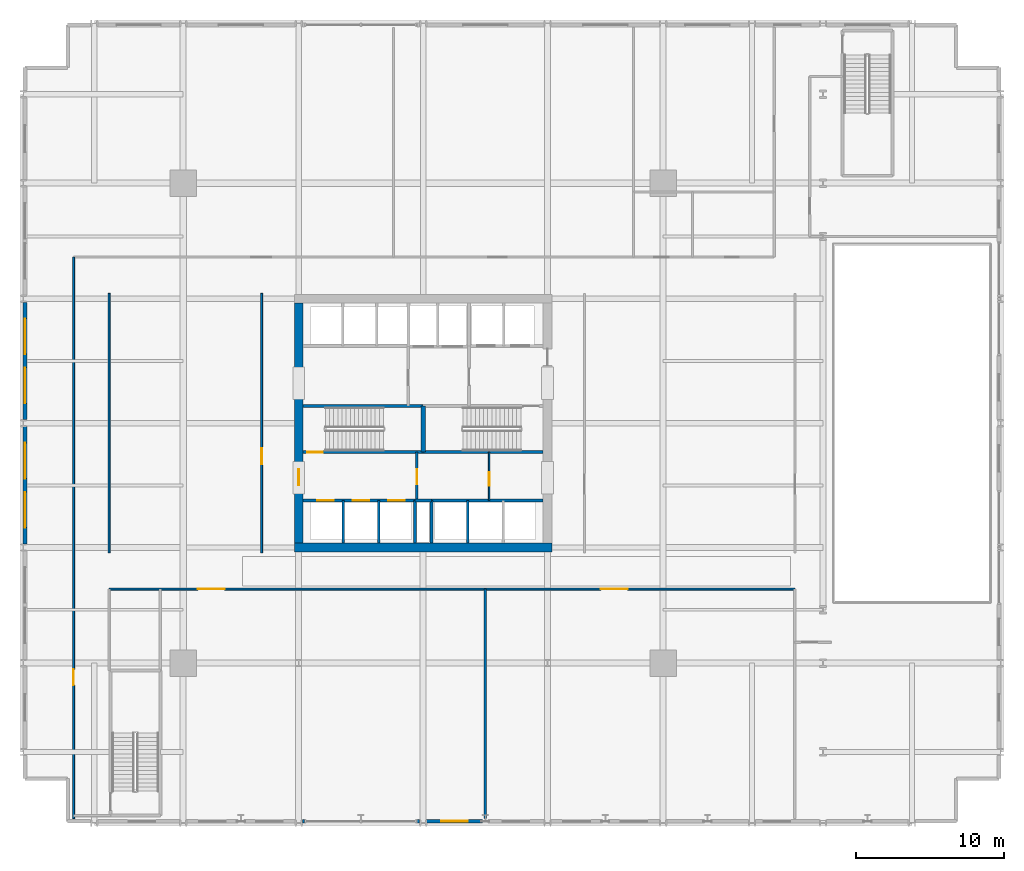
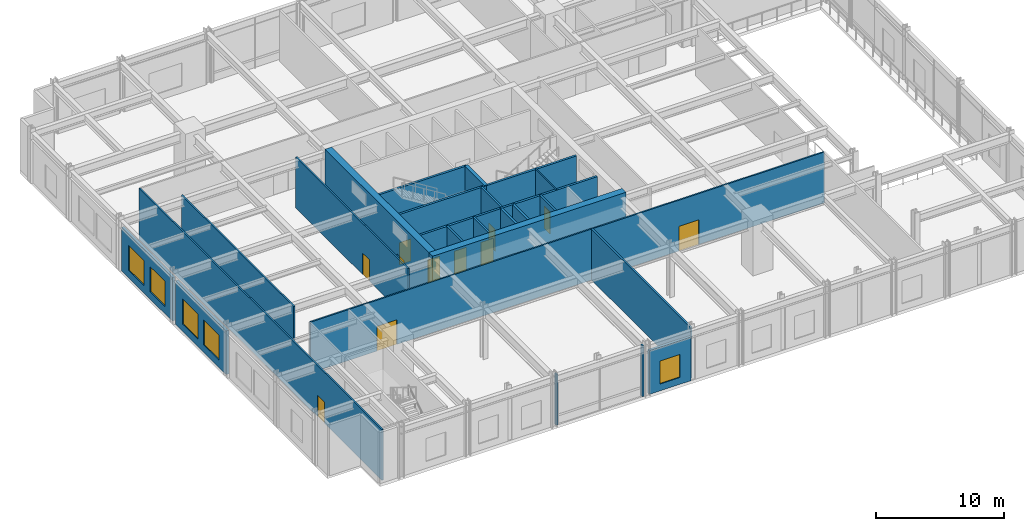
# One storey, part 11 of 20: 26 walls, 11 doors, 5 windows, 16 openings.
"""IFC4 building model written with IfcOpenShell, lengths in metres."""

from ifc_helpers import new_model, si_unit, direction, frame, frame_2d, origin, place, context, subcontext, project, spatial, rectangle, extrude, material, layer, layer_set, type_object, element, fill, save


model = new_model("IFC4")

# Units and contexts
model_context = context("Model", 3, precision=1e-05, world=origin(), true_north=direction((0.0, 1.0)))
body_context = subcontext(model_context, "Body", "Model", "MODEL_VIEW")
ifc_project = project(units=[si_unit("LENGTHUNIT", "METRE"), si_unit("AREAUNIT", "SQUARE_METRE"), si_unit("VOLUMEUNIT", "CUBIC_METRE"), si_unit("PLANEANGLEUNIT", "RADIAN"), si_unit("MASSUNIT", "GRAM", prefix="KILO")], contexts=[model_context])

# Site, building, storey
site_placement = place(None, origin())
site = spatial("IfcSite", under=ifc_project, at=site_placement, CompositionType="ELEMENT")
building_placement = place(site_placement, origin())
building = spatial("IfcBuilding", under=site, at=building_placement, Name="Drelvath Grand Hotel", CompositionType="ELEMENT")
storey_placement = place(building_placement, frame((0.0, 0.0, 5.60009765625)))
storey = spatial("IfcBuildingStorey", under=building, at=storey_placement, Name="L01", CompositionType="ELEMENT", Elevation=5.60009765625)

# Wall, opening, door
ifc_material_1 = material(Name="Gypsum Partition Board")
ifc_layer_1 = layer(ifc_material_1, 0.10009765625)
ifc_layer_set_1 = layer_set([ifc_layer_1], Name="Gypsum Partition Board")
wall_type_1 = type_object("IfcWallType", Name="Core Closet Partition 100", PredefinedType="PARTITIONING", material=ifc_layer_set_1)
wall_1_placement = place(storey_placement, frame((4.4599609375, 21.780029296875, 0.0), z_axis=(0.0, 0.0, 1.0), x_axis=(0.0, 1.0, 0.0)))
wall_1 = element("IfcWall", 1, at=wall_1_placement, inside=storey, type_object=wall_type_1, Name="L01 Housekeeping Split Wall", PredefinedType="PARTITIONING", context=body_context, shape_type="SweptSolid", body=[
    extrude(rectangle(XDim=3.260009765625, YDim=0.10009765625, at=frame_2d((1.6298828125, 0.0))), origin(), (0.0, 0.0, 1.0), 4.849853515625),
])
opening_1_placement = place(wall_1_placement, frame((1.0, 0.0, 0.0)))
opening_1 = element("IfcOpeningElement", 2, at=opening_1_placement, cuts=wall_1, Name="Opening D-L01-015", PredefinedType="OPENING", context=body_context, shape_type="SweptSolid", body=[
    extrude(rectangle(XDim=0.919921875, YDim=2.10009765625, at=frame_2d((0.4599609375, 1.050048828125))), frame((0.0, 0.06005859375, 0.0), z_axis=(0.0, -1.0, 0.0), x_axis=(1.0, 0.0, 0.0)), (0.0, 0.0, 1.0), 0.1201171875),
])
ifc_material_2 = material(Name="Painted Steel S275", Category="steel")
door_type_1 = type_object("IfcDoorType", Name="Staff Utility Door 920x2100", OperationType="NOTDEFINED", PredefinedType="DOOR", material=ifc_material_2)
door_1_placement = place(opening_1_placement, origin())
door_1 = element("IfcDoor", 3, at=door_1_placement, inside=storey, type_object=door_type_1, Name="L01 Core Store Door", OperationType="SINGLE_SWING_RIGHT", OverallHeight=2.10009765625, OverallWidth=0.919921875, PredefinedType="DOOR", context=body_context, shape_type="SweptSolid", body=[
    extrude(rectangle(XDim=0.919921875, YDim=2.10009765625, at=frame_2d((0.4599609375, 1.050048828125))), frame((0.0, 0.02490234375, 0.0), z_axis=(0.0, -1.0, 0.0), x_axis=(1.0, 0.0, 0.0)), (0.0, 0.0, 1.0), 0.050048828125),
])
fill(opening_1, door_1)

# Wall, openings, doors
ifc_material_3 = material(Name="Concrete C40/50", Category="concrete")
ifc_layer_2 = layer(ifc_material_3, 0.199951171875)
ifc_layer_set_2 = layer_set([ifc_layer_2], Name="Concrete C40/50")
wall_type_2 = type_object("IfcWallType", Name="Core Hoistway Fire Wall 200", PredefinedType="SOLIDWALL", material=ifc_layer_set_2)
wall_2_placement = place(storey_placement, frame((-0.550048828125, 21.780029296875, 0.0), z_axis=(0.0, 0.0, 1.0), x_axis=(-1.0, 0.0, 0.0)))
wall_2 = element("IfcWall", 4, at=wall_2_placement, inside=storey, type_object=wall_type_2, Name="L01 Bank 1 Hoistway Wall", PredefinedType="SOLIDWALL", context=body_context, shape_type="SweptSolid", body=[
    extrude(rectangle(XDim=7.550048828125, YDim=0.199951171875, at=frame_2d((3.77490234375, 0.0))), origin(), (0.0, 0.0, 1.0), 4.849853515625),
])
opening_2_placement = place(wall_2_placement, frame((5.5, 0.0, 0.0)))
opening_2 = element("IfcOpeningElement", 5, at=opening_2_placement, cuts=wall_2, Name="Opening LD-PE-1", PredefinedType="OPENING", context=body_context, shape_type="SweptSolid", body=[
    extrude(rectangle(XDim=1.10009765625, YDim=2.199951171875, at=frame_2d((0.550048828125, 1.10009765625))), frame((0.0, 0.10986328125, 0.0), z_axis=(0.0, -1.0, 0.0), x_axis=(1.0, 0.0, 0.0)), (0.0, 0.0, 1.0), 0.219970703125),
])
opening_3_placement = place(wall_2_placement, frame((3.10009765625, 0.0, 0.0)))
opening_3 = element("IfcOpeningElement", 6, at=opening_3_placement, cuts=wall_2, Name="Opening LD-PE-2", PredefinedType="OPENING", context=body_context, shape_type="SweptSolid", body=[
    extrude(rectangle(XDim=1.10009765625, YDim=2.199951171875, at=frame_2d((0.550048828125, 1.10009765625))), frame((0.0, 0.10986328125, 0.0), z_axis=(0.0, -1.0, 0.0), x_axis=(1.0, 0.0, 0.0)), (0.0, 0.0, 1.0), 0.219970703125),
])
opening_4_placement = place(wall_2_placement, frame((0.699951171875, 0.0, 0.0)))
opening_4 = element("IfcOpeningElement", 7, at=opening_4_placement, cuts=wall_2, Name="Opening LD-PE-3", PredefinedType="OPENING", context=body_context, shape_type="SweptSolid", body=[
    extrude(rectangle(XDim=1.10009765625, YDim=2.199951171875, at=frame_2d((0.550048828125, 1.10009765625))), frame((0.0, 0.10986328125, 0.0), z_axis=(0.0, -1.0, 0.0), x_axis=(1.0, 0.0, 0.0)), (0.0, 0.0, 1.0), 0.219970703125),
])
ifc_material_4 = material(Name="Stainless Steel S355", Category="steel")
door_type_2 = type_object("IfcDoorType", Name="Passenger Lift Sliding Landing Door 1100x2200", OperationType="NOTDEFINED", PredefinedType="DOOR", material=ifc_material_4)
door_2_placement = place(opening_2_placement, origin())
door_2 = element("IfcDoor", 8, at=door_2_placement, inside=storey, type_object=door_type_2, Name="L01 Lift PE-1 Landing Door", OperationType="SLIDING_TO_LEFT", OverallHeight=2.199951171875, OverallWidth=1.10009765625, PredefinedType="DOOR", context=body_context, shape_type="SweptSolid", body=[
    extrude(rectangle(XDim=1.10009765625, YDim=2.199951171875, at=frame_2d((0.550048828125, 1.10009765625))), frame((0.0, 0.02490234375, 0.0), z_axis=(0.0, -1.0, 0.0), x_axis=(1.0, 0.0, 0.0)), (0.0, 0.0, 1.0), 0.050048828125),
])
fill(opening_2, door_2)
door_3_placement = place(opening_3_placement, origin())
door_3 = element("IfcDoor", 9, at=door_3_placement, inside=storey, type_object=door_type_2, Name="L01 Lift PE-2 Landing Door", OperationType="SLIDING_TO_LEFT", OverallHeight=2.199951171875, OverallWidth=1.10009765625, PredefinedType="DOOR", context=body_context, shape_type="SweptSolid", body=[
    extrude(rectangle(XDim=1.10009765625, YDim=2.199951171875, at=frame_2d((0.550048828125, 1.10009765625))), frame((0.0, 0.02490234375, 0.0), z_axis=(0.0, -1.0, 0.0), x_axis=(1.0, 0.0, 0.0)), (0.0, 0.0, 1.0), 0.050048828125),
])
fill(opening_3, door_3)
door_4_placement = place(opening_4_placement, origin())
door_4 = element("IfcDoor", 10, at=door_4_placement, inside=storey, type_object=door_type_2, Name="L01 Lift PE-3 Landing Door", OperationType="SLIDING_TO_LEFT", OverallHeight=2.199951171875, OverallWidth=1.10009765625, PredefinedType="DOOR", context=body_context, shape_type="SweptSolid", body=[
    extrude(rectangle(XDim=1.10009765625, YDim=2.199951171875, at=frame_2d((0.550048828125, 1.10009765625))), frame((0.0, 0.02490234375, 0.0), z_axis=(0.0, -1.0, 0.0), x_axis=(1.0, 0.0, 0.0)), (0.0, 0.0, 1.0), 0.050048828125),
])
fill(opening_4, door_4)

# Walls
wall_3_placement = place(storey_placement, frame((-0.550048828125, 18.89990234375, 0.0), z_axis=(0.0, 0.0, 1.0), x_axis=(0.0, 1.0, 0.0)))
element("IfcWall", 11, at=wall_3_placement, inside=storey, type_object=wall_type_2, Name="L01 Bank 1 East Wall", PredefinedType="SOLIDWALL", context=body_context, shape_type="SweptSolid", body=[
    extrude(rectangle(XDim=2.880126953125, YDim=0.199951171875, at=frame_2d((1.43994140625, 0.0))), origin(), (0.0, 0.0, 1.0), 4.849853515625),
])
wall_4_placement = place(storey_placement, frame((8.10009765625, 21.780029296875, 0.0), z_axis=(0.0, 0.0, 1.0), x_axis=(-1.0, 0.0, 0.0)))
element("IfcWall", 12, at=wall_4_placement, inside=storey, type_object=wall_type_2, Name="L01 Bank 2 Hoistway Wall", PredefinedType="SOLIDWALL", context=body_context, shape_type="SweptSolid", body=[
    extrude(rectangle(XDim=7.550048828125, YDim=0.199951171875, at=frame_2d((3.77490234375, 0.0))), origin(), (0.0, 0.0, 1.0), 4.849853515625),
])
wall_5_placement = place(storey_placement, frame((0.550048828125, 18.89990234375, 0.0), z_axis=(0.0, 0.0, 1.0), x_axis=(0.0, 1.0, 0.0)))
element("IfcWall", 13, at=wall_5_placement, inside=storey, type_object=wall_type_2, Name="L01 Bank 2 West Wall", PredefinedType="SOLIDWALL", context=body_context, shape_type="SweptSolid", body=[
    extrude(rectangle(XDim=2.880126953125, YDim=0.199951171875, at=frame_2d((1.43994140625, 0.0))), origin(), (0.0, 0.0, 1.0), 4.849853515625),
])
wall_6_placement = place(storey_placement, frame((-0.550048828125, 21.780029296875, 0.0), z_axis=(0.0, 0.0, 1.0), x_axis=(1.0, 0.0, 0.0)))
element("IfcWall", 14, at=wall_6_placement, inside=storey, type_object=wall_type_2, Name="L01 Core Riser Wall", PredefinedType="SOLIDWALL", context=body_context, shape_type="SweptSolid", body=[
    extrude(rectangle(XDim=1.10009765625, YDim=0.199951171875, at=frame_2d((0.550048828125, 0.0))), origin(), (0.0, 0.0, 1.0), 4.849853515625),
])

# Wall, opening, door
ifc_layer_3 = layer(ifc_material_3, 0.199951171875)
ifc_layer_set_3 = layer_set([ifc_layer_3], Name="Concrete C40/50")
wall_type_3 = type_object("IfcWallType", Name="Core Shaft Fire Wall 200", PredefinedType="SOLIDWALL", material=ifc_layer_set_3)
wall_7_placement = place(storey_placement, frame((-8.10009765625, 25.0400390625, 0.0), z_axis=(0.0, 0.0, 1.0), x_axis=(1.0, 0.0, 0.0)))
wall_7 = element("IfcWall", 15, at=wall_7_placement, inside=storey, type_object=wall_type_3, Name="L01 Stair ST-1 South Wall", PredefinedType="SOLIDWALL", context=body_context, shape_type="SweptSolid", body=[
    extrude(rectangle(XDim=8.10009765625, YDim=0.199951171875, at=frame_2d((4.050048828125, 0.0))), origin(), (0.0, 0.0, 1.0), 4.849853515625),
])
opening_5_placement = place(wall_7_placement, frame((0.280029296875, 0.0, 0.0)))
opening_5 = element("IfcOpeningElement", 16, at=opening_5_placement, cuts=wall_7, Name="Opening D-L01-001", PredefinedType="OPENING", context=body_context, shape_type="SweptSolid", body=[
    extrude(rectangle(XDim=1.050048828125, YDim=2.10009765625, at=frame_2d((0.52490234375, 1.050048828125))), frame((0.0, 0.10986328125, 0.0), z_axis=(0.0, -1.0, 0.0), x_axis=(1.0, 0.0, 0.0)), (0.0, 0.0, 1.0), 0.219970703125),
])
door_type_3 = type_object("IfcDoorType", Name="Tower Stairwell Fire Door 1050x2100", OperationType="NOTDEFINED", PredefinedType="DOOR", material=ifc_material_2)
door_5_placement = place(opening_5_placement, origin())
door_5 = element("IfcDoor", 17, at=door_5_placement, inside=storey, type_object=door_type_3, Name="L01 Exit Stair ST-1 Door", OperationType="SINGLE_SWING_LEFT", OverallHeight=2.10009765625, OverallWidth=1.050048828125, PredefinedType="DOOR", context=body_context, shape_type="SweptSolid", body=[
    extrude(rectangle(XDim=1.050048828125, YDim=2.10009765625, at=frame_2d((0.52490234375, 1.050048828125))), frame((0.0, 0.02490234375, 0.0), z_axis=(0.0, -1.0, 0.0), x_axis=(1.0, 0.0, 0.0)), (0.0, 0.0, 1.0), 0.050048828125),
])
fill(opening_5, door_5)

# Walls
for number, where, z_axis, x_axis, name in (
    (18, (-8.10009765625, 28.159912109375, 0.0), (0.0, 0.0, 1.0), (1.0, 0.0, 0.0), "L01 Stair ST-1 North Wall"),
    (19, (0.0, 25.0400390625, 0.0), (0.0, 0.0, 1.0), (1.0, 0.0, 0.0), "L01 Stair ST-2 South Wall"),
):
    element("IfcWall", number, at=place(storey_placement, frame(where, z_axis=z_axis, x_axis=x_axis)), inside=storey, type_object=wall_type_3, Name=name, PredefinedType="SOLIDWALL", context=body_context, shape_type="SweptSolid", body=[
        extrude(rectangle(XDim=8.10009765625, YDim=0.199951171875, at=frame_2d((4.050048828125, 0.0))), origin(), (0.0, 0.0, 1.0), 4.849853515625),
    ])
ifc_layer_4 = layer(ifc_material_3, 0.300048828125)
ifc_layer_set_4 = layer_set([ifc_layer_4], Name="Concrete C40/50")
wall_type_4 = type_object("IfcWallType", Name="Core Shaft Fire Wall 300", PredefinedType="SOLIDWALL", material=ifc_layer_set_4)
wall_8_placement = place(storey_placement, frame((0.0, 25.0400390625, 0.0), z_axis=(0.0, 0.0, 1.0), x_axis=(0.0, 1.0, 0.0)))
element("IfcWall", 20, at=wall_8_placement, inside=storey, type_object=wall_type_4, Name="L01 Core Stair Divider Wall", PredefinedType="SOLIDWALL", context=body_context, shape_type="SweptSolid", body=[
    extrude(rectangle(XDim=3.119873046875, YDim=0.300048828125, at=frame_2d((1.56005859375, 0.0))), origin(), (0.0, 0.0, 1.0), 4.849853515625),
])
ifc_material_5 = material(Name="Gypsum Fireboard Partition")
ifc_layer_5 = layer(ifc_material_5, 0.1650390625)
ifc_layer_set_5 = layer_set([ifc_layer_5], Name="Gypsum Fireboard Partition")
wall_type_5 = type_object("IfcWallType", Name="Core Shaft Partition 165", PredefinedType="PARTITIONING", material=ifc_layer_set_5)
for number, where, z_axis, x_axis, name in (
    (21, (-5.39990234375, 18.89990234375, 0.0), (0.0, 0.0, 1.0), (0.0, 1.0, 0.0), "L01 Lift PE-1/2 Divider"),
    (22, (-3.0, 18.89990234375, 0.0), (0.0, 0.0, 1.0), (0.0, 1.0, 0.0), "L01 Lift PE-2/3 Divider"),
    (23, (3.0, 18.89990234375, 0.0), (0.0, 0.0, 1.0), (0.0, 1.0, 0.0), "L01 Lift PE-4/5 Divider"),
):
    element("IfcWall", number, at=place(storey_placement, frame(where, z_axis=z_axis, x_axis=x_axis)), inside=storey, type_object=wall_type_5, Name=name, PredefinedType="PARTITIONING", context=body_context, shape_type="SweptSolid", body=[
        extrude(rectangle(XDim=2.880126953125, YDim=0.1650390625, at=frame_2d((1.43994140625, 0.0))), origin(), (0.0, 0.0, 1.0), 4.849853515625),
    ])

# Wall, openings, doors
ifc_layer_6 = layer(ifc_material_5, 0.135009765625)
ifc_layer_set_6 = layer_set([ifc_layer_6], Name="Gypsum Fireboard Partition")
wall_type_6 = type_object("IfcWallType", Name="Corridor Fire Barrier Wall 135", PredefinedType="PARTITIONING", material=ifc_layer_set_6)
wall_9_placement = place(storey_placement, frame((-21.199951171875, 15.800048828125, 0.0), z_axis=(0.0, 0.0, 1.0), x_axis=(1.0, 0.0, 0.0)))
wall_9 = element("IfcWall", 24, at=wall_9_placement, inside=storey, type_object=wall_type_6, Name="L01 South Gallery Wall", PredefinedType="PARTITIONING", context=body_context, shape_type="SweptSolid", body=[
    extrude(rectangle(XDim=46.300048828125, YDim=0.135009765625, at=frame_2d((23.14990234375, 0.0))), origin(), (0.0, 0.0, 1.0), 4.849853515625),
])
opening_6_placement = place(wall_9_placement, frame((6.0, 0.0, 0.0)))
opening_6 = element("IfcOpeningElement", 25, at=opening_6_placement, cuts=wall_9, Name="Opening D-L01-023", PredefinedType="OPENING", context=body_context, shape_type="SweptSolid", body=[
    extrude(rectangle(XDim=1.800048828125, YDim=2.35009765625, at=frame_2d((0.89990234375, 1.175048828125))), frame((0.0, 0.077392578125, 0.0), z_axis=(0.0, -1.0, 0.0), x_axis=(1.0, 0.0, 0.0)), (0.0, 0.0, 1.0), 0.155029296875),
])
opening_7_placement = place(wall_9_placement, frame((33.199951171875, 0.0, 0.0)))
opening_7 = element("IfcOpeningElement", 26, at=opening_7_placement, cuts=wall_9, Name="Opening D-L01-024", PredefinedType="OPENING", context=body_context, shape_type="SweptSolid", body=[
    extrude(rectangle(XDim=1.800048828125, YDim=2.35009765625, at=frame_2d((0.89990234375, 1.175048828125))), frame((0.0, 0.077392578125, 0.0), z_axis=(0.0, -1.0, 0.0), x_axis=(1.0, 0.0, 0.0)), (0.0, 0.0, 1.0), 0.155029296875),
])
ifc_material_6 = material(Name="Hardwood Bronze-Clad Timber", Category="wood")
door_type_4 = type_object("IfcDoorType", Name="Assembly Double Fire Door 1800x2350", OperationType="NOTDEFINED", PredefinedType="DOOR", material=ifc_material_6)
door_6_placement = place(opening_6_placement, origin())
door_6 = element("IfcDoor", 27, at=door_6_placement, inside=storey, type_object=door_type_4, Name="L01 Signature Restaurant Door", OperationType="DOUBLE_DOOR_SINGLE_SWING", OverallHeight=2.35009765625, OverallWidth=1.800048828125, PredefinedType="DOOR", context=body_context, shape_type="SweptSolid", body=[
    extrude(rectangle(XDim=1.800048828125, YDim=2.35009765625, at=frame_2d((0.89990234375, 1.175048828125))), frame((0.0, 0.02490234375, 0.0), z_axis=(0.0, -1.0, 0.0), x_axis=(1.0, 0.0, 0.0)), (0.0, 0.0, 1.0), 0.050048828125),
])
fill(opening_6, door_6)
door_7_placement = place(opening_7_placement, origin())
door_7 = element("IfcDoor", 28, at=door_7_placement, inside=storey, type_object=door_type_4, Name="L01 Brasserie Door", OperationType="DOUBLE_DOOR_SINGLE_SWING", OverallHeight=2.35009765625, OverallWidth=1.800048828125, PredefinedType="DOOR", context=body_context, shape_type="SweptSolid", body=[
    extrude(rectangle(XDim=1.800048828125, YDim=2.35009765625, at=frame_2d((0.89990234375, 1.175048828125))), frame((0.0, 0.02490234375, 0.0), z_axis=(0.0, -1.0, 0.0), x_axis=(1.0, 0.0, 0.0)), (0.0, 0.0, 1.0), 0.050048828125),
])
fill(opening_7, door_7)

# Wall, opening, door
wall_10_placement = place(storey_placement, frame((-10.89990234375, 18.239990234375, 0.0), z_axis=(0.0, 0.0, 1.0), x_axis=(0.0, 1.0, 0.0)))
wall_10 = element("IfcWall", 29, at=wall_10_placement, inside=storey, type_object=wall_type_6, Name="L01 West Gallery Wall", PredefinedType="PARTITIONING", context=body_context, shape_type="SweptSolid", body=[
    extrude(rectangle(XDim=17.52001953125, YDim=0.135009765625, at=frame_2d((8.760009765625, 0.0))), origin(), (0.0, 0.0, 1.0), 4.849853515625),
])
opening_8_placement = place(wall_10_placement, frame((6.0, 0.0, 0.0)))
opening_8 = element("IfcOpeningElement", 30, at=opening_8_placement, cuts=wall_10, Name="Opening D-L01-028", PredefinedType="OPENING", context=body_context, shape_type="SweptSolid", body=[
    extrude(rectangle(XDim=1.080078125, YDim=2.0400390625, at=frame_2d((0.5400390625, 1.02001953125))), frame((0.0, 0.077392578125, 0.0), z_axis=(0.0, -1.0, 0.0), x_axis=(1.0, 0.0, 0.0)), (0.0, 0.0, 1.0), 0.155029296875),
])
door_type_5 = type_object("IfcDoorType", Name="Core Corridor Fire Door 1080x2100", OperationType="NOTDEFINED", PredefinedType="DOOR", material=ifc_material_2)
door_8_placement = place(opening_8_placement, origin())
door_8 = element("IfcDoor", 31, at=door_8_placement, inside=storey, type_object=door_type_5, Name="L01 Center-West Room Door", OperationType="SINGLE_SWING_LEFT", OverallHeight=2.0400390625, OverallWidth=1.080078125, PredefinedType="DOOR", context=body_context, shape_type="SweptSolid", body=[
    extrude(rectangle(XDim=1.080078125, YDim=2.0400390625, at=frame_2d((0.5400390625, 1.02001953125))), frame((0.0, 0.02490234375, 0.0), z_axis=(0.0, -1.0, 0.0), x_axis=(1.0, 0.0, 0.0)), (0.0, 0.0, 1.0), 0.050048828125),
])
fill(opening_8, door_8)

# Wall
wall_11_placement = place(storey_placement, frame((-21.199951171875, 18.239990234375, 0.0), z_axis=(0.0, 0.0, 1.0), x_axis=(0.0, 1.0, 0.0)))
element("IfcWall", 32, at=wall_11_placement, inside=storey, type_object=wall_type_6, Name="L01 ST-3 Spur North-East Wall", PredefinedType="PARTITIONING", context=body_context, shape_type="SweptSolid", body=[
    extrude(rectangle(XDim=17.52001953125, YDim=0.135009765625, at=frame_2d((8.760009765625, 0.0))), origin(), (0.0, 0.0, 1.0), 4.849853515625),
])

# Wall, opening, door
wall_12_placement = place(storey_placement, frame((-23.60009765625, 0.300048828125, 0.0), z_axis=(0.0, 0.0, 1.0), x_axis=(0.0, 1.0, 0.0)))
wall_12 = element("IfcWall", 33, at=wall_12_placement, inside=storey, type_object=wall_type_6, Name="L01 West Wing Corridor Wall", PredefinedType="PARTITIONING", context=body_context, shape_type="SweptSolid", body=[
    extrude(rectangle(XDim=37.89990234375, YDim=0.135009765625, at=frame_2d((18.949951171875, 0.0))), origin(), (0.0, 0.0, 1.0), 4.849853515625),
])
opening_9_placement = place(wall_12_placement, frame((9.0, 0.0, 0.0)))
opening_9 = element("IfcOpeningElement", 34, at=opening_9_placement, cuts=wall_12, Name="Opening D-L01-027", PredefinedType="OPENING", context=body_context, shape_type="SweptSolid", body=[
    extrude(rectangle(XDim=1.080078125, YDim=2.0400390625, at=frame_2d((0.5400390625, 1.02001953125))), frame((0.0, 0.077392578125, 0.0), z_axis=(0.0, -1.0, 0.0), x_axis=(1.0, 0.0, 0.0)), (0.0, 0.0, 1.0), 0.155029296875),
])
door_9_placement = place(opening_9_placement, origin())
door_9 = element("IfcDoor", 35, at=door_9_placement, inside=storey, type_object=door_type_5, Name="L01 West Wing South Door", OperationType="SINGLE_SWING_RIGHT", OverallHeight=2.0400390625, OverallWidth=1.080078125, PredefinedType="DOOR", context=body_context, shape_type="SweptSolid", body=[
    extrude(rectangle(XDim=1.080078125, YDim=2.0400390625, at=frame_2d((0.5400390625, 1.02001953125))), frame((0.0, 0.02490234375, 0.0), z_axis=(0.0, -1.0, 0.0), x_axis=(1.0, 0.0, 0.0)), (0.0, 0.0, 1.0), 0.050048828125),
])
fill(opening_9, door_9)

ifc_layer_7 = layer(ifc_material_5, 0.179931640625)
ifc_layer_set_7 = layer_set([ifc_layer_7], Name="Gypsum Fireboard Partition")
wall_type_7 = type_object("IfcWallType", Name="FSAE Smoke Lobby Fire Wall 180", PredefinedType="SOLIDWALL", material=ifc_layer_set_7)
wall_13_placement = place(storey_placement, frame((-0.419921875, 21.780029296875, 0.0), z_axis=(0.0, 0.0, 1.0), x_axis=(0.0, 1.0, 0.0)))
wall_13 = element("IfcWall", 36, at=wall_13_placement, inside=storey, type_object=wall_type_7, Name="L01 Low-Rise Lobby East Wall", PredefinedType="SOLIDWALL", context=body_context, shape_type="SweptSolid", body=[
    extrude(rectangle(XDim=3.260009765625, YDim=0.179931640625, at=frame_2d((1.6298828125, 0.0))), origin(), (0.0, 0.0, 1.0), 4.849853515625),
])
opening_10_placement = place(wall_13_placement, frame((1.10009765625, 0.0, 0.0)))
opening_10 = element("IfcOpeningElement", 37, at=opening_10_placement, cuts=wall_13, Name="Opening D-L01-013", PredefinedType="OPENING", context=body_context, shape_type="SweptSolid", body=[
    extrude(rectangle(XDim=1.0, YDim=2.10009765625, at=frame_2d((0.5, 1.050048828125))), frame((0.0, 0.099853515625, 0.0), z_axis=(0.0, -1.0, 0.0), x_axis=(1.0, 0.0, 0.0)), (0.0, 0.0, 1.0), 0.199951171875),
])
door_type_6 = type_object("IfcDoorType", Name="Core Service Fire Door 1000x2100", OperationType="NOTDEFINED", PredefinedType="DOOR", material=ifc_material_2)
door_10_placement = place(opening_10_placement, origin())
door_10 = element("IfcDoor", 38, at=door_10_placement, inside=storey, type_object=door_type_6, Name="L01 Housekeeping Entry Door", OperationType="SINGLE_SWING_RIGHT", OverallHeight=2.10009765625, OverallWidth=1.0, PredefinedType="DOOR", context=body_context, shape_type="SweptSolid", body=[
    extrude(rectangle(XDim=1.0, YDim=2.10009765625, at=frame_2d((0.5, 1.050048828125))), frame((0.0, 0.02490234375, 0.0), z_axis=(0.0, -1.0, 0.0), x_axis=(1.0, 0.0, 0.0)), (0.0, 0.0, 1.0), 0.050048828125),
])
fill(opening_10, door_10)

# Wall
ifc_material_7 = material(Name="Concrete f'c 70 MPa", Category="concrete")
ifc_layer_8 = layer(ifc_material_7, 0.60009765625)
ifc_layer_set_8 = layer_set([ifc_layer_8], Name="Concrete f'c 70 MPa")
wall_type_8 = type_object("IfcWallType", Name="Lower Core RC Shear Wall 600", PredefinedType="SHEAR", material=ifc_layer_set_8)
wall_14_placement = place(storey_placement, frame((8.699951171875, 18.60009765625, 0.0), z_axis=(0.0, 0.0, 1.0), x_axis=(-1.0, 0.0, 0.0)))
element("IfcWall", 39, at=wall_14_placement, inside=storey, type_object=wall_type_8, Name="L01 Central Core Shear Wall S", PredefinedType="SHEAR", context=body_context, shape_type="SweptSolid", body=[
    extrude(rectangle(XDim=17.39990234375, YDim=0.60009765625, at=frame_2d((8.699951171875, 0.0))), origin(), (0.0, 0.0, 1.0), 5.199951171875),
])

# Wall, opening, door
wall_15_placement = place(storey_placement, frame((-8.39990234375, 18.89990234375, 0.0), z_axis=(0.0, 0.0, 1.0), x_axis=(0.0, 1.0, 0.0)))
wall_15 = element("IfcWall", 40, at=wall_15_placement, inside=storey, type_object=wall_type_8, Name="L01 Central Core Shear Wall W", PredefinedType="SHEAR", context=body_context, shape_type="SweptSolid", body=[
    extrude(rectangle(XDim=16.2001953125, YDim=0.60009765625, at=frame_2d((8.10009765625, 0.0))), origin(), (0.0, 0.0, 1.0), 5.199951171875),
])
opening_11_placement = place(wall_15_placement, frame((3.89990234375, 0.0, 0.0)))
opening_11 = element("IfcOpeningElement", 41, at=opening_11_placement, cuts=wall_15, Name="Opening D-L01-014", PredefinedType="OPENING", context=body_context, shape_type="SweptSolid", body=[
    extrude(rectangle(XDim=1.080078125, YDim=2.0400390625, at=frame_2d((0.5400390625, 1.02001953125))), frame((0.0, 0.31005859375, 0.0), z_axis=(0.0, -1.0, 0.0), x_axis=(1.0, 0.0, 0.0)), (0.0, 0.0, 1.0), 0.6201171875),
])
door_11_placement = place(opening_11_placement, origin())
door_11 = element("IfcDoor", 42, at=door_11_placement, inside=storey, type_object=door_type_5, Name="L01 Low-Rise Lobby West Door", OperationType="SINGLE_SWING_LEFT", OverallHeight=2.0400390625, OverallWidth=1.080078125, PredefinedType="DOOR", context=body_context, shape_type="SweptSolid", body=[
    extrude(rectangle(XDim=1.080078125, YDim=2.0400390625, at=frame_2d((0.5400390625, 1.02001953125))), frame((0.0, 0.02490234375, 0.0), z_axis=(0.0, -1.0, 0.0), x_axis=(1.0, 0.0, 0.0)), (0.0, 0.0, 1.0), 0.050048828125),
])
fill(opening_11, door_11)

# Wall, openings, windows
ifc_material_8 = material(Name="Insulated Granite Rainscreen Assembly", Category="masonry")
ifc_layer_9 = layer(ifc_material_8, 0.239990234375)
ifc_layer_set_9 = layer_set([ifc_layer_9], Name="Insulated Granite Rainscreen Assembly")
wall_type_9 = type_object("IfcWallType", Name="Podium Granite Rainscreen Exterior Wall 240", PredefinedType="STANDARD", material=ifc_layer_set_9)
wall_16_placement = place(storey_placement, frame((-26.8798828125, 18.8408203125, 0.0), z_axis=(0.0, 0.0, 1.0), x_axis=(0.0, 1.0, 0.0)))
wall_16 = element("IfcWall", 43, at=wall_16_placement, inside=storey, type_object=wall_type_9, Name="L01 West Podium Granite Wall 4", PredefinedType="STANDARD", context=body_context, shape_type="SweptSolid", body=[
    extrude(rectangle(XDim=7.918212890625, YDim=0.239990234375, at=frame_2d((3.958984375, 0.0))), origin(), (0.0, 0.0, 1.0), 4.154296875),
])
opening_12_placement = place(wall_16_placement, frame((1.10009765625, 0.0, 0.699951171875)))
opening_12 = element("IfcOpeningElement", 44, at=opening_12_placement, cuts=wall_16, Name="Opening W-01", PredefinedType="OPENING", context=body_context, shape_type="SweptSolid", body=[
    extrude(rectangle(XDim=2.39990234375, YDim=2.39990234375, at=frame_2d((1.199951171875, 1.199951171875))), frame((0.0, 0.1298828125, 0.0), z_axis=(0.0, -1.0, 0.0), x_axis=(1.0, 0.0, 0.0)), (0.0, 0.0, 1.0), 0.260009765625),
])
opening_13_placement = place(wall_16_placement, frame((4.418212890625, 0.0, 0.699951171875)))
opening_13 = element("IfcOpeningElement", 45, at=opening_13_placement, cuts=wall_16, Name="Opening W-01", PredefinedType="OPENING", context=body_context, shape_type="SweptSolid", body=[
    extrude(rectangle(XDim=2.39990234375, YDim=2.39990234375, at=frame_2d((1.199951171875, 1.199951171875))), frame((0.0, 0.1298828125, 0.0), z_axis=(0.0, -1.0, 0.0), x_axis=(1.0, 0.0, 0.0)), (0.0, 0.0, 1.0), 0.260009765625),
])
ifc_material_9 = material(Name="Bronze Anodised Low-E Triple Glazing", Category="glass")
window_type_1 = type_object("IfcWindowType", Name="Chicago Triple-Pane Podium Window 2400x2600", PartitioningType="TRIPLE_PANEL_VERTICAL", PredefinedType="WINDOW", material=ifc_material_9)
window_1_placement = place(opening_12_placement, origin())
window_1 = element("IfcWindow", 46, at=window_1_placement, inside=storey, type_object=window_type_1, Name="L01 West Podium Window 4-1", OverallHeight=2.39990234375, OverallWidth=2.39990234375, PartitioningType="SINGLE_PANEL", PredefinedType="WINDOW", context=body_context, shape_type="SweptSolid", body=[
    extrude(rectangle(XDim=2.39990234375, YDim=2.39990234375, at=frame_2d((1.199951171875, 1.199951171875))), frame((0.0, 0.030029296875, 0.0), z_axis=(0.0, -1.0, 0.0), x_axis=(1.0, 0.0, 0.0)), (0.0, 0.0, 1.0), 0.06005859375),
])
fill(opening_12, window_1)
window_2_placement = place(opening_13_placement, origin())
window_2 = element("IfcWindow", 47, at=window_2_placement, inside=storey, type_object=window_type_1, Name="L01 West Podium Window 4-2", OverallHeight=2.39990234375, OverallWidth=2.39990234375, PartitioningType="SINGLE_PANEL", PredefinedType="WINDOW", context=body_context, shape_type="SweptSolid", body=[
    extrude(rectangle(XDim=2.39990234375, YDim=2.39990234375, at=frame_2d((1.199951171875, 1.199951171875))), frame((0.0, 0.030029296875, 0.0), z_axis=(0.0, -1.0, 0.0), x_axis=(1.0, 0.0, 0.0)), (0.0, 0.0, 1.0), 0.06005859375),
])
fill(opening_13, window_2)

wall_17_placement = place(storey_placement, frame((-26.8798828125, 27.240966796875, 0.0), z_axis=(0.0, 0.0, 1.0), x_axis=(0.0, 1.0, 0.0)))
wall_17 = element("IfcWall", 48, at=wall_17_placement, inside=storey, type_object=wall_type_9, Name="L01 West Podium Granite Wall 5", PredefinedType="STANDARD", context=body_context, shape_type="SweptSolid", body=[
    extrude(rectangle(XDim=7.918212890625, YDim=0.239990234375, at=frame_2d((3.958984375, 0.0))), origin(), (0.0, 0.0, 1.0), 4.154296875),
])
opening_14_placement = place(wall_17_placement, frame((1.10009765625, 0.0, 0.699951171875)))
opening_14 = element("IfcOpeningElement", 49, at=opening_14_placement, cuts=wall_17, Name="Opening W-01", PredefinedType="OPENING", context=body_context, shape_type="SweptSolid", body=[
    extrude(rectangle(XDim=2.39990234375, YDim=2.39990234375, at=frame_2d((1.199951171875, 1.199951171875))), frame((0.0, 0.1298828125, 0.0), z_axis=(0.0, -1.0, 0.0), x_axis=(1.0, 0.0, 0.0)), (0.0, 0.0, 1.0), 0.260009765625),
])
opening_15_placement = place(wall_17_placement, frame((4.418212890625, 0.0, 0.699951171875)))
opening_15 = element("IfcOpeningElement", 50, at=opening_15_placement, cuts=wall_17, Name="Opening W-01", PredefinedType="OPENING", context=body_context, shape_type="SweptSolid", body=[
    extrude(rectangle(XDim=2.39990234375, YDim=2.39990234375, at=frame_2d((1.199951171875, 1.199951171875))), frame((0.0, 0.1298828125, 0.0), z_axis=(0.0, -1.0, 0.0), x_axis=(1.0, 0.0, 0.0)), (0.0, 0.0, 1.0), 0.260009765625),
])
window_3_placement = place(opening_14_placement, origin())
window_3 = element("IfcWindow", 51, at=window_3_placement, inside=storey, type_object=window_type_1, Name="L01 West Podium Window 5-1", OverallHeight=2.39990234375, OverallWidth=2.39990234375, PartitioningType="SINGLE_PANEL", PredefinedType="WINDOW", context=body_context, shape_type="SweptSolid", body=[
    extrude(rectangle(XDim=2.39990234375, YDim=2.39990234375, at=frame_2d((1.199951171875, 1.199951171875))), frame((0.0, 0.030029296875, 0.0), z_axis=(0.0, -1.0, 0.0), x_axis=(1.0, 0.0, 0.0)), (0.0, 0.0, 1.0), 0.06005859375),
])
fill(opening_14, window_3)
window_4_placement = place(opening_15_placement, origin())
window_4 = element("IfcWindow", 52, at=window_4_placement, inside=storey, type_object=window_type_1, Name="L01 West Podium Window 5-2", OverallHeight=2.39990234375, OverallWidth=2.39990234375, PartitioningType="SINGLE_PANEL", PredefinedType="WINDOW", context=body_context, shape_type="SweptSolid", body=[
    extrude(rectangle(XDim=2.39990234375, YDim=2.39990234375, at=frame_2d((1.199951171875, 1.199951171875))), frame((0.0, 0.030029296875, 0.0), z_axis=(0.0, -1.0, 0.0), x_axis=(1.0, 0.0, 0.0)), (0.0, 0.0, 1.0), 0.06005859375),
])
fill(opening_15, window_4)

# Walls
wall_18_placement = place(storey_placement, frame((-8.0, 0.1201171875, 0.0), z_axis=(0.0, 0.0, 1.0), x_axis=(-1.0, 0.0, 0.0)))
element("IfcWall", 53, at=wall_18_placement, inside=storey, type_object=wall_type_9, Name="L01 South Podium Granite Wall 5", PredefinedType="STANDARD", context=body_context, shape_type="SweptSolid", body=[
    extrude(rectangle(XDim=0.1591796875, YDim=0.239990234375, at=frame_2d((0.07958984375, 0.0))), origin(), (0.0, 0.0, 1.0), 4.849853515625),
])
wall_19_placement = place(storey_placement, frame((-0.240966796875, 0.1201171875, 0.0), z_axis=(0.0, 0.0, 1.0), x_axis=(-1.0, 0.0, 0.0)))
element("IfcWall", 54, at=wall_19_placement, inside=storey, type_object=wall_type_9, Name="L01 South Podium Granite Wall 6", PredefinedType="STANDARD", context=body_context, shape_type="SweptSolid", body=[
    extrude(rectangle(XDim=0.158935546875, YDim=0.239990234375, at=frame_2d((0.07958984375, 0.0))), origin(), (0.0, 0.0, 1.0), 4.849853515625),
])

# Wall, opening, window
wall_20_placement = place(storey_placement, frame((4.00732421875, 0.1201171875, 0.0), z_axis=(0.0, 0.0, 1.0), x_axis=(-1.0, 0.0, 0.0)))
wall_20 = element("IfcWall", 55, at=wall_20_placement, inside=storey, type_object=wall_type_9, Name="L01 South Podium Granite Wall 7", PredefinedType="STANDARD", context=body_context, shape_type="SweptSolid", body=[
    extrude(rectangle(XDim=3.766357421875, YDim=0.239990234375, at=frame_2d((1.88330078125, 0.0))), origin(), (0.0, 0.0, 1.0), 4.154296875),
])
opening_16_placement = place(wall_20_placement, frame((0.983154296875, 0.0, 0.64990234375)))
opening_16 = element("IfcOpeningElement", 56, at=opening_16_placement, cuts=wall_20, Name="Opening W-02", PredefinedType="OPENING", context=body_context, shape_type="SweptSolid", body=[
    extrude(rectangle(XDim=1.800048828125, YDim=2.199951171875, at=frame_2d((0.89990234375, 1.10009765625))), frame((0.0, 0.1298828125, 0.0), z_axis=(0.0, -1.0, 0.0), x_axis=(1.0, 0.0, 0.0)), (0.0, 0.0, 1.0), 0.260009765625),
])
window_type_2 = type_object("IfcWindowType", Name="Chicago Double-Pane Podium Window 1800x2400", PartitioningType="DOUBLE_PANEL_VERTICAL", PredefinedType="WINDOW", material=ifc_material_9)
window_5_placement = place(opening_16_placement, origin())
window_5 = element("IfcWindow", 57, at=window_5_placement, inside=storey, type_object=window_type_2, Name="L01 South Chicago Window 7", OverallHeight=2.199951171875, OverallWidth=1.800048828125, PartitioningType="SINGLE_PANEL", PredefinedType="WINDOW", context=body_context, shape_type="SweptSolid", body=[
    extrude(rectangle(XDim=1.800048828125, YDim=2.199951171875, at=frame_2d((0.89990234375, 1.10009765625))), frame((0.0, 0.030029296875, 0.0), z_axis=(0.0, -1.0, 0.0), x_axis=(1.0, 0.0, 0.0)), (0.0, 0.0, 1.0), 0.06005859375),
])
fill(opening_16, window_5)

# Wall
ifc_material_10 = material(Name="Gypsum Acoustic Partition")
ifc_layer_10 = layer(ifc_material_10, 0.1650390625)
ifc_layer_set_10 = layer_set([ifc_layer_10], Name="Gypsum Acoustic Partition")
wall_type_10 = type_object("IfcWallType", Name="Suite Demising Wall 165", PredefinedType="PARTITIONING", material=ifc_layer_set_10)
wall_21_placement = place(storey_placement, frame((4.199951171875, 0.300048828125, 0.0), z_axis=(0.0, 0.0, 1.0), x_axis=(0.0, 1.0, 0.0)))
element("IfcWall", 58, at=wall_21_placement, inside=storey, type_object=wall_type_10, Name="L01 Restaurant Brasserie Split", PredefinedType="PARTITIONING", context=body_context, shape_type="SweptSolid", body=[
    extrude(rectangle(XDim=15.5, YDim=0.1650390625, at=frame_2d((7.75, 0.0))), origin(), (0.0, 0.0, 1.0), 4.849853515625),
])

save(model, "model.ifc")
